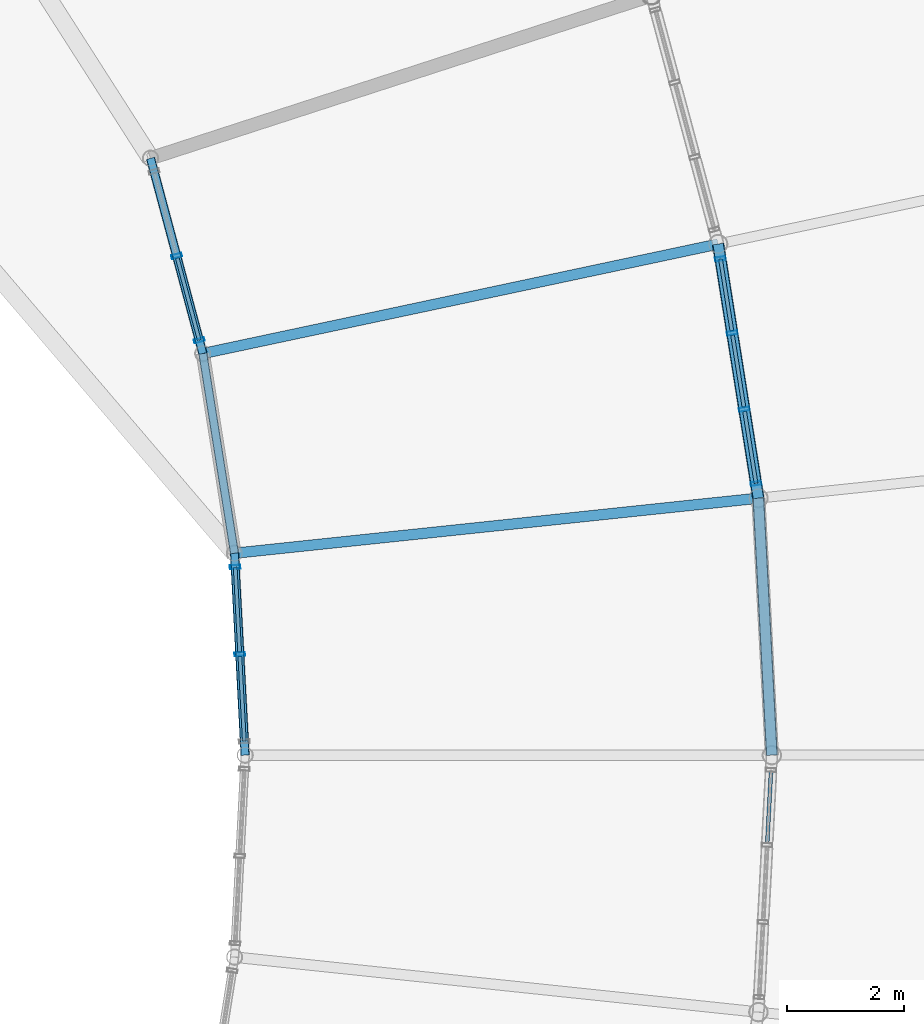
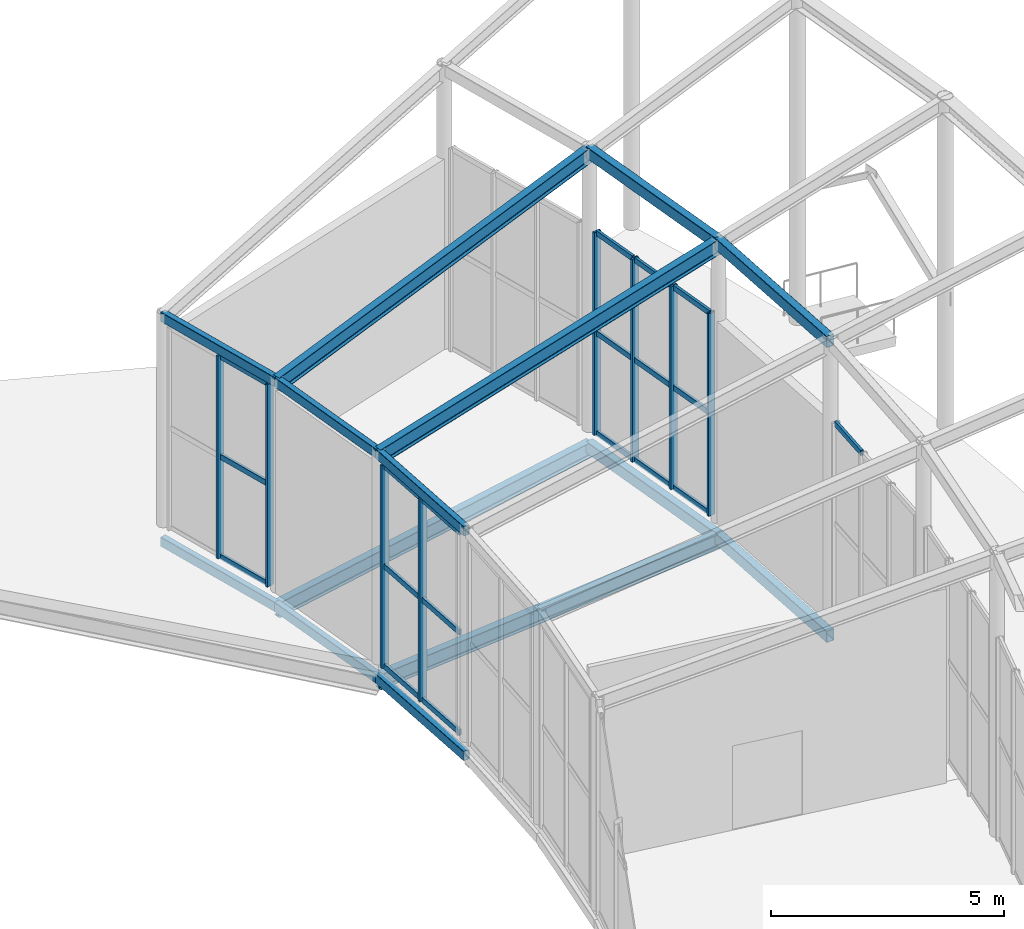
# One storey, part 93 of 158: 27 members, 14 beams, 4 elements without a shape of their own.
"""IFC4 building model written with IfcOpenShell, lengths in metres."""

from ifc_helpers import new_model, si_unit, derived_unit, direction, frame, origin, origin_2d, place, context, subcontext, project, spatial, hollow_rectangle, i_section, extrude, material, material_profile, profile_set, type_object, element, aggregate, save


model = new_model("IFC4")

# Units and contexts
model_context = context("Model", 3, precision=1e-05, world=origin(), true_north=direction((0.0, 1.0)))
body_context = subcontext(model_context, "Body", "Model", "MODEL_VIEW")
ifc_project = project(units=[si_unit("LENGTHUNIT", "METRE"), si_unit("AREAUNIT", "SQUARE_METRE"), si_unit("VOLUMEUNIT", "CUBIC_METRE"), si_unit("PLANEANGLEUNIT", "RADIAN"), si_unit("MASSUNIT", "GRAM", prefix="KILO"), si_unit("THERMODYNAMICTEMPERATUREUNIT", "KELVIN"), si_unit("TIMEUNIT", "SECOND"), derived_unit("THERMALTRANSMITTANCEUNIT", [(si_unit("MASSUNIT", "GRAM", prefix="KILO"), 1), (si_unit("THERMODYNAMICTEMPERATUREUNIT", "KELVIN"), -1), (si_unit("TIMEUNIT", "SECOND"), -3)])], contexts=[model_context])

# Site, building, storey
site_placement = place(None, origin())
site = spatial("IfcSite", under=ifc_project, at=site_placement, CompositionType="ELEMENT")
building_placement = place(site_placement, origin())
building = spatial("IfcBuilding", under=site, at=building_placement, Name="Cambertide Market Hall", CompositionType="ELEMENT")
storey_placement = place(building_placement, origin())
storey = spatial("IfcBuildingStorey", under=building, at=storey_placement, Name="L01", CompositionType="ELEMENT", Elevation=0.0)

# Curtain wall, members
ifc_material_1 = material(Name="Marine Anodized Aluminium 6063-T6 AA25", Category="aluminium")
curtain_wall_type_1 = type_object("IfcCurtainWallType", Name="Promenade Crescent Inner Glazed Wall", PredefinedType="USERDEFINED", material=ifc_material_1)
curtain_wall_1_placement = place(storey_placement, origin())
curtain_wall_1 = element("IfcCurtainWall", 1, at=curtain_wall_1_placement, inside=storey, type_object=curtain_wall_type_1, Name="Level 1 Curtain Wall CW-V5I-L01-7", ObjectType="UNITIZED CURTAIN WALL", PredefinedType="USERDEFINED")
ifc_material_2 = material(Name="Champagne Marine Anodized Aluminium 6063-T6 AA25", Category="aluminium")
ifc_material_profile_1 = material_profile(ifc_material_2, hollow_rectangle(XDim=0.06494140625, YDim=0.179931640625, WallThickness=0.00390625, at=origin_2d()), Name="ALU MULLION 65x180")
ifc_profile_set_1 = profile_set([ifc_material_profile_1], Name="Champagne Marine Anodized Aluminium 6063-T6 AA25")
member_type_1 = type_object("IfcMemberType", Name="Curtain Wall Mullion ALU MULLION 65x180", PredefinedType="MULLION", material=ifc_profile_set_1)
member_1_placement = place(storey_placement, frame((176.90966796875, 67.724609375, 0.0), z_axis=(0.0, 0.0, 1.0), x_axis=(-0.052335829863, 0.998629541378, 0.0)))
member_1 = element("IfcMember", 2, at=member_1_placement, type_object=member_type_1, Name="CW-V5I-L01-7 Mullion 2", PredefinedType="MULLION", context=body_context, shape_type="SweptSolid", body=[
    extrude(hollow_rectangle(XDim=0.06494140625, YDim=0.179931640625, WallThickness=0.00390625, at=origin_2d()), origin(), (0.0, 0.0, 1.0), 5.300048828125),
])
member_2_placement = place(storey_placement, frame((176.83154296875, 69.21484375, 0.0), z_axis=(0.0, 0.0, 1.0), x_axis=(-0.052335829863, 0.998629541378, 0.0)))
member_2 = element("IfcMember", 3, at=member_2_placement, type_object=member_type_1, Name="CW-V5I-L01-7 Mullion 3", PredefinedType="MULLION", context=body_context, shape_type="SweptSolid", body=[
    extrude(hollow_rectangle(XDim=0.06494140625, YDim=0.179931640625, WallThickness=0.00390625, at=origin_2d()), origin(), (0.0, 0.0, 1.0), 5.300048828125),
])

ifc_material_3 = material(Name="Marine Anodized Aluminium 6063-T6 AA25", Category="aluminium")
curtain_wall_type_2 = type_object("IfcCurtainWallType", Name="Promenade Crescent Outer Glazed Wall", PredefinedType="USERDEFINED", material=ifc_material_3)
curtain_wall_2_placement = place(storey_placement, origin())
curtain_wall_2 = element("IfcCurtainWall", 4, at=curtain_wall_2_placement, inside=storey, type_object=curtain_wall_type_2, Name="Level 1 Curtain Wall CW-V5M-L01-8", ObjectType="UNITIZED CURTAIN WALL", PredefinedType="USERDEFINED")
member_3_placement = place(storey_placement, frame((185.1220703125, 74.48046875, 0.0), z_axis=(0.0, 0.0, 1.0), x_axis=(0.156434588243, -0.987688321082, 0.0)))
member_3 = element("IfcMember", 5, at=member_3_placement, type_object=member_type_1, Name="CW-V5M-L01-8 Mullion 1", PredefinedType="MULLION", context=body_context, shape_type="SweptSolid", body=[
    extrude(hollow_rectangle(XDim=0.06494140625, YDim=0.179931640625, WallThickness=0.00390625, at=origin_2d()), origin(), (0.0, 0.0, 1.0), 5.300048828125),
])
member_4_placement = place(storey_placement, frame((185.322998046875, 73.21240234375, 0.0), z_axis=(0.0, 0.0, 1.0), x_axis=(0.156434588243, -0.987688321082, 0.0)))
member_4 = element("IfcMember", 6, at=member_4_placement, type_object=member_type_1, Name="CW-V5M-L01-8 Mullion 2", PredefinedType="MULLION", context=body_context, shape_type="SweptSolid", body=[
    extrude(hollow_rectangle(XDim=0.06494140625, YDim=0.179931640625, WallThickness=0.00390625, at=origin_2d()), origin(), (0.0, 0.0, 1.0), 5.300048828125),
])
member_5_placement = place(storey_placement, frame((185.529296875, 71.909912109375, 0.0), z_axis=(0.0, 0.0, 1.0), x_axis=(0.156434588243, -0.987688321082, 0.0)))
member_5 = element("IfcMember", 7, at=member_5_placement, type_object=member_type_1, Name="CW-V5M-L01-8 Mullion 3", PredefinedType="MULLION", context=body_context, shape_type="SweptSolid", body=[
    extrude(hollow_rectangle(XDim=0.06494140625, YDim=0.179931640625, WallThickness=0.00390625, at=origin_2d()), origin(), (0.0, 0.0, 1.0), 5.300048828125),
])
member_6_placement = place(storey_placement, frame((185.72998046875, 70.64208984375, 0.0), z_axis=(0.0, 0.0, 1.0), x_axis=(0.156434588243, -0.987688321082, 0.0)))
member_6 = element("IfcMember", 8, at=member_6_placement, type_object=member_type_1, Name="CW-V5M-L01-8 Mullion 4", PredefinedType="MULLION", context=body_context, shape_type="SweptSolid", body=[
    extrude(hollow_rectangle(XDim=0.06494140625, YDim=0.179931640625, WallThickness=0.00390625, at=origin_2d()), origin(), (0.0, 0.0, 1.0), 5.300048828125),
])

curtain_wall_3_placement = place(storey_placement, origin())
curtain_wall_3 = element("IfcCurtainWall", 9, at=curtain_wall_3_placement, inside=storey, type_object=curtain_wall_type_1, Name="Level 1 Curtain Wall CW-V5I-L01-9", ObjectType="UNITIZED CURTAIN WALL", PredefinedType="USERDEFINED")
member_7_placement = place(storey_placement, frame((176.218017578125, 73.088134765625, 0.0), z_axis=(0.0, 0.0, 1.0), x_axis=(-0.25881910404, 0.965925810497, 0.0)))
member_7 = element("IfcMember", 10, at=member_7_placement, type_object=member_type_1, Name="CW-V5I-L01-9 Mullion 1", PredefinedType="MULLION", context=body_context, shape_type="SweptSolid", body=[
    extrude(hollow_rectangle(XDim=0.06494140625, YDim=0.179931640625, WallThickness=0.00390625, at=origin_2d()), origin(), (0.0, 0.0, 1.0), 5.300048828125),
])
member_8_placement = place(storey_placement, frame((175.831787109375, 74.529296875, 0.0), z_axis=(0.0, 0.0, 1.0), x_axis=(-0.25881910404, 0.965925810497, 0.0)))
member_8 = element("IfcMember", 11, at=member_8_placement, type_object=member_type_1, Name="CW-V5I-L01-9 Mullion 2", PredefinedType="MULLION", context=body_context, shape_type="SweptSolid", body=[
    extrude(hollow_rectangle(XDim=0.06494140625, YDim=0.179931640625, WallThickness=0.00390625, at=origin_2d()), origin(), (0.0, 0.0, 1.0), 5.300048828125),
])

# Curtain wall, member
curtain_wall_4_placement = place(storey_placement, origin())
curtain_wall_4 = element("IfcCurtainWall", 12, at=curtain_wall_4_placement, inside=storey, type_object=curtain_wall_type_2, Name="Level 1 Curtain Wall CW-V5M-L01-6", ObjectType="UNITIZED CURTAIN WALL", PredefinedType="USERDEFINED")
ifc_material_4 = material(Name="Champagne Marine Anodized Aluminium 6063-T6 AA25", Category="aluminium")
ifc_material_profile_2 = material_profile(ifc_material_4, hollow_rectangle(XDim=0.06494140625, YDim=0.139892578125, WallThickness=0.00341796875, at=origin_2d()), Name="ALU TRANSOM 65x140")
ifc_profile_set_2 = profile_set([ifc_material_profile_2], Name="Champagne Marine Anodized Aluminium 6063-T6 AA25")
member_type_2 = type_object("IfcMemberType", Name="Curtain Wall Transom ALU TRANSOM 65x140", PredefinedType="USERDEFINED", material=ifc_profile_set_2)
member_9_placement = place(storey_placement, frame((185.986328125, 65.740234375, 5.264892578125), z_axis=(-0.052238094069, -0.998634658686, 0.0), x_axis=(0.998634658686, -0.052238094069, 0.0)))
member_9 = element("IfcMember", 13, at=member_9_placement, type_object=member_type_2, Name="CW-V5M-L01-6 Transom 3-1", ObjectType="TRANSOM", PredefinedType="USERDEFINED", context=body_context, shape_type="SweptSolid", body=[
    extrude(hollow_rectangle(XDim=0.06494140625, YDim=0.139892578125, WallThickness=0.00341796875, at=origin_2d()), origin(), (0.0, 0.0, 1.0), 1.238525390625),
])
aggregate(curtain_wall_4, [member_9])

# Member
member_10_placement = place(storey_placement, frame((176.987548828125, 66.23974609375, 0.034912109375), z_axis=(-0.052470280986, 0.998622486034, 0.0), x_axis=(-0.998622486034, -0.052470280986, 0.0)))
member_10 = element("IfcMember", 14, at=member_10_placement, type_object=member_type_2, Name="CW-V5I-L01-7 Transom 1-1", ObjectType="TRANSOM", PredefinedType="USERDEFINED", context=body_context, shape_type="SweptSolid", body=[
    extrude(hollow_rectangle(XDim=0.06494140625, YDim=0.139892578125, WallThickness=0.00341796875, at=origin_2d()), origin(), (0.0, 0.0, 1.0), 1.447021484375),
])

member_11_placement = place(storey_placement, frame((176.907470703125, 67.7646484375, 0.034912109375), z_axis=(-0.052302028518, 0.998631312253, 0.0), x_axis=(-0.998631312253, -0.052302028518, 0.0)))
member_11 = element("IfcMember", 15, at=member_11_placement, type_object=member_type_2, Name="CW-V5I-L01-7 Transom 1-2", ObjectType="TRANSOM", PredefinedType="USERDEFINED", context=body_context, shape_type="SweptSolid", body=[
    extrude(hollow_rectangle(XDim=0.06494140625, YDim=0.139892578125, WallThickness=0.00341796875, at=origin_2d()), origin(), (0.0, 0.0, 1.0), 1.447021484375),
])

member_12_placement = place(storey_placement, frame((176.987548828125, 66.23974609375, 2.64990234375), z_axis=(-0.052470280986, 0.998622486034, 0.0), x_axis=(-0.998622486034, -0.052470280986, 0.0)))
member_12 = element("IfcMember", 16, at=member_12_placement, type_object=member_type_2, Name="CW-V5I-L01-7 Transom 2-1", ObjectType="TRANSOM", PredefinedType="USERDEFINED", context=body_context, shape_type="SweptSolid", body=[
    extrude(hollow_rectangle(XDim=0.06494140625, YDim=0.139892578125, WallThickness=0.00341796875, at=origin_2d()), origin(), (0.0, 0.0, 1.0), 1.447021484375),
])

member_13_placement = place(storey_placement, frame((176.907470703125, 67.7646484375, 2.64990234375), z_axis=(-0.052302028518, 0.998631312253, 0.0), x_axis=(-0.998631312253, -0.052302028518, 0.0)))
member_13 = element("IfcMember", 17, at=member_13_placement, type_object=member_type_2, Name="CW-V5I-L01-7 Transom 2-2", ObjectType="TRANSOM", PredefinedType="USERDEFINED", context=body_context, shape_type="SweptSolid", body=[
    extrude(hollow_rectangle(XDim=0.06494140625, YDim=0.139892578125, WallThickness=0.00341796875, at=origin_2d()), origin(), (0.0, 0.0, 1.0), 1.447021484375),
])

member_14_placement = place(storey_placement, frame((176.987548828125, 66.23974609375, 5.264892578125), z_axis=(-0.052470280986, 0.998622486034, 0.0), x_axis=(-0.998622486034, -0.052470280986, 0.0)))
member_14 = element("IfcMember", 18, at=member_14_placement, type_object=member_type_2, Name="CW-V5I-L01-7 Transom 3-1", ObjectType="TRANSOM", PredefinedType="USERDEFINED", context=body_context, shape_type="SweptSolid", body=[
    extrude(hollow_rectangle(XDim=0.06494140625, YDim=0.139892578125, WallThickness=0.00341796875, at=origin_2d()), origin(), (0.0, 0.0, 1.0), 1.447021484375),
])

member_15_placement = place(storey_placement, frame((176.907470703125, 67.7646484375, 5.264892578125), z_axis=(-0.052302028518, 0.998631312253, 0.0), x_axis=(-0.998631312253, -0.052302028518, 0.0)))
member_15 = element("IfcMember", 19, at=member_15_placement, type_object=member_type_2, Name="CW-V5I-L01-7 Transom 3-2", ObjectType="TRANSOM", PredefinedType="USERDEFINED", context=body_context, shape_type="SweptSolid", body=[
    extrude(hollow_rectangle(XDim=0.06494140625, YDim=0.139892578125, WallThickness=0.00341796875, at=origin_2d()), origin(), (0.0, 0.0, 1.0), 1.447021484375),
])

aggregate(curtain_wall_1, [member_1, member_2, member_10, member_11, member_12, member_13, member_14, member_15])

member_16_placement = place(storey_placement, frame((185.122802734375, 74.4755859375, 0.034912109375), z_axis=(0.156468527213, -0.987682945075, 0.0), x_axis=(0.987682945075, 0.156468527213, 0.0)))
member_16 = element("IfcMember", 20, at=member_16_placement, type_object=member_type_2, Name="CW-V5M-L01-8 Transom 1-1", ObjectType="TRANSOM", PredefinedType="USERDEFINED", context=body_context, shape_type="SweptSolid", body=[
    extrude(hollow_rectangle(XDim=0.06494140625, YDim=0.139892578125, WallThickness=0.00341796875, at=origin_2d()), origin(), (0.0, 0.0, 1.0), 1.239013671875),
])

member_17_placement = place(storey_placement, frame((185.3291015625, 73.173095703125, 0.034912109375), z_axis=(0.156468527213, -0.987682945075, 0.0), x_axis=(0.987682945075, 0.156468527213, 0.0)))
member_17 = element("IfcMember", 21, at=member_17_placement, type_object=member_type_2, Name="CW-V5M-L01-8 Transom 1-2", ObjectType="TRANSOM", PredefinedType="USERDEFINED", context=body_context, shape_type="SweptSolid", body=[
    extrude(hollow_rectangle(XDim=0.06494140625, YDim=0.139892578125, WallThickness=0.00341796875, at=origin_2d()), origin(), (0.0, 0.0, 1.0), 1.239013671875),
])

member_18_placement = place(storey_placement, frame((185.535400390625, 71.870361328125, 0.034912109375), z_axis=(0.156498987537, -0.987678119075, 0.0), x_axis=(0.987678119075, 0.156498987537, 0.0)))
member_18 = element("IfcMember", 22, at=member_18_placement, type_object=member_type_2, Name="CW-V5M-L01-8 Transom 1-3", ObjectType="TRANSOM", PredefinedType="USERDEFINED", context=body_context, shape_type="SweptSolid", body=[
    extrude(hollow_rectangle(XDim=0.06494140625, YDim=0.139892578125, WallThickness=0.00341796875, at=origin_2d()), origin(), (0.0, 0.0, 1.0), 1.23876953125),
])

member_19_placement = place(storey_placement, frame((185.122802734375, 74.4755859375, 2.64990234375), z_axis=(0.156468527213, -0.987682945075, 0.0), x_axis=(0.987682945075, 0.156468527213, 0.0)))
member_19 = element("IfcMember", 23, at=member_19_placement, type_object=member_type_2, Name="CW-V5M-L01-8 Transom 2-1", ObjectType="TRANSOM", PredefinedType="USERDEFINED", context=body_context, shape_type="SweptSolid", body=[
    extrude(hollow_rectangle(XDim=0.06494140625, YDim=0.139892578125, WallThickness=0.00341796875, at=origin_2d()), origin(), (0.0, 0.0, 1.0), 1.239013671875),
])

member_20_placement = place(storey_placement, frame((185.3291015625, 73.173095703125, 2.64990234375), z_axis=(0.156468527213, -0.987682945075, 0.0), x_axis=(0.987682945075, 0.156468527213, 0.0)))
member_20 = element("IfcMember", 24, at=member_20_placement, type_object=member_type_2, Name="CW-V5M-L01-8 Transom 2-2", ObjectType="TRANSOM", PredefinedType="USERDEFINED", context=body_context, shape_type="SweptSolid", body=[
    extrude(hollow_rectangle(XDim=0.06494140625, YDim=0.139892578125, WallThickness=0.00341796875, at=origin_2d()), origin(), (0.0, 0.0, 1.0), 1.239013671875),
])

member_21_placement = place(storey_placement, frame((185.535400390625, 71.870361328125, 2.64990234375), z_axis=(0.156498987537, -0.987678119075, 0.0), x_axis=(0.987678119075, 0.156498987537, 0.0)))
member_21 = element("IfcMember", 25, at=member_21_placement, type_object=member_type_2, Name="CW-V5M-L01-8 Transom 2-3", ObjectType="TRANSOM", PredefinedType="USERDEFINED", context=body_context, shape_type="SweptSolid", body=[
    extrude(hollow_rectangle(XDim=0.06494140625, YDim=0.139892578125, WallThickness=0.00341796875, at=origin_2d()), origin(), (0.0, 0.0, 1.0), 1.23876953125),
])

member_22_placement = place(storey_placement, frame((185.122802734375, 74.4755859375, 5.264892578125), z_axis=(0.156468527213, -0.987682945075, 0.0), x_axis=(0.987682945075, 0.156468527213, 0.0)))
member_22 = element("IfcMember", 26, at=member_22_placement, type_object=member_type_2, Name="CW-V5M-L01-8 Transom 3-1", ObjectType="TRANSOM", PredefinedType="USERDEFINED", context=body_context, shape_type="SweptSolid", body=[
    extrude(hollow_rectangle(XDim=0.06494140625, YDim=0.139892578125, WallThickness=0.00341796875, at=origin_2d()), origin(), (0.0, 0.0, 1.0), 1.239013671875),
])

member_23_placement = place(storey_placement, frame((185.3291015625, 73.173095703125, 5.264892578125), z_axis=(0.156468527213, -0.987682945075, 0.0), x_axis=(0.987682945075, 0.156468527213, 0.0)))
member_23 = element("IfcMember", 27, at=member_23_placement, type_object=member_type_2, Name="CW-V5M-L01-8 Transom 3-2", ObjectType="TRANSOM", PredefinedType="USERDEFINED", context=body_context, shape_type="SweptSolid", body=[
    extrude(hollow_rectangle(XDim=0.06494140625, YDim=0.139892578125, WallThickness=0.00341796875, at=origin_2d()), origin(), (0.0, 0.0, 1.0), 1.239013671875),
])

member_24_placement = place(storey_placement, frame((185.535400390625, 71.870361328125, 5.264892578125), z_axis=(0.156498987537, -0.987678119075, 0.0), x_axis=(0.987678119075, 0.156498987537, 0.0)))
member_24 = element("IfcMember", 28, at=member_24_placement, type_object=member_type_2, Name="CW-V5M-L01-8 Transom 3-3", ObjectType="TRANSOM", PredefinedType="USERDEFINED", context=body_context, shape_type="SweptSolid", body=[
    extrude(hollow_rectangle(XDim=0.06494140625, YDim=0.139892578125, WallThickness=0.00341796875, at=origin_2d()), origin(), (0.0, 0.0, 1.0), 1.23876953125),
])

aggregate(curtain_wall_2, [member_3, member_4, member_5, member_6, member_16, member_17, member_18, member_19, member_20, member_21, member_22, member_23, member_24])

member_25_placement = place(storey_placement, frame((176.216796875, 73.093017578125, 0.034912109375), z_axis=(-0.258817608395, 0.965926211253, 0.0), x_axis=(-0.965926211253, -0.258817608395, 0.0)))
member_25 = element("IfcMember", 29, at=member_25_placement, type_object=member_type_2, Name="CW-V5I-L01-9 Transom 1-1", ObjectType="TRANSOM", PredefinedType="USERDEFINED", context=body_context, shape_type="SweptSolid", body=[
    extrude(hollow_rectangle(XDim=0.06494140625, YDim=0.139892578125, WallThickness=0.00341796875, at=origin_2d()), origin(), (0.0, 0.0, 1.0), 1.447021484375),
])

member_26_placement = place(storey_placement, frame((176.216796875, 73.093017578125, 2.64990234375), z_axis=(-0.258817608395, 0.965926211253, 0.0), x_axis=(-0.965926211253, -0.258817608395, 0.0)))
member_26 = element("IfcMember", 30, at=member_26_placement, type_object=member_type_2, Name="CW-V5I-L01-9 Transom 2-1", ObjectType="TRANSOM", PredefinedType="USERDEFINED", context=body_context, shape_type="SweptSolid", body=[
    extrude(hollow_rectangle(XDim=0.06494140625, YDim=0.139892578125, WallThickness=0.00341796875, at=origin_2d()), origin(), (0.0, 0.0, 1.0), 1.447021484375),
])

member_27_placement = place(storey_placement, frame((176.216796875, 73.093017578125, 5.264892578125), z_axis=(-0.258817608395, 0.965926211253, 0.0), x_axis=(-0.965926211253, -0.258817608395, 0.0)))
member_27 = element("IfcMember", 31, at=member_27_placement, type_object=member_type_2, Name="CW-V5I-L01-9 Transom 3-1", ObjectType="TRANSOM", PredefinedType="USERDEFINED", context=body_context, shape_type="SweptSolid", body=[
    extrude(hollow_rectangle(XDim=0.06494140625, YDim=0.139892578125, WallThickness=0.00341796875, at=origin_2d()), origin(), (0.0, 0.0, 1.0), 1.447021484375),
])

aggregate(curtain_wall_3, [member_7, member_8, member_25, member_26, member_27])

# Beams
ifc_material_5 = material(Name="Steel S355", Category="steel")
ifc_material_profile_3 = material_profile(ifc_material_5, i_section(OverallWidth=0.179931640625, OverallDepth=0.39990234375, WebThickness=0.008544921875, FlangeThickness=0.013427734375, FilletRadius=0.02099609375, at=origin_2d()), Name="IPE 400")
ifc_profile_set_3 = profile_set([ifc_material_profile_3], Name="Steel S355")
beam_type_1 = type_object("IfcBeamType", Name="Exterior Steel Girder IPE 400", PredefinedType="BEAM", material=ifc_profile_set_3)
beam_1_placement = place(storey_placement, frame((176.8193359375, 69.449462890625, 5.3798828125), z_axis=(0.974578388722, 0.102423504766, 0.199264622821), x_axis=(-0.104519569699, 0.99452283008, 0.0)))
element("IfcBeam", 32, at=beam_1_placement, inside=storey, type_object=beam_type_1, Name="BM-V5R1-CAN-8", PredefinedType="BEAM", context=body_context, shape_type="SweptSolid", body=[
    extrude(i_section(OverallWidth=0.179931640625, OverallDepth=0.39990234375, WebThickness=0.008544921875, FlangeThickness=0.013427734375, FilletRadius=0.02099609375, at=origin_2d()), origin(), (0.0, 0.0, 1.0), 9.18408203125),
])
beam_2_placement = place(storey_placement, frame((176.27880859375, 72.861083984375, 5.3798828125), z_axis=(0.958535239773, 0.203727615231, 0.199261769803), x_axis=(-0.207896713966, 0.978150784042, 0.0)))
element("IfcBeam", 33, at=beam_2_placement, inside=storey, type_object=beam_type_1, Name="BM-V5R1-CAN-9", PredefinedType="BEAM", context=body_context, shape_type="SweptSolid", body=[
    extrude(i_section(OverallWidth=0.179931640625, OverallDepth=0.39990234375, WebThickness=0.008544921875, FlangeThickness=0.013427734375, FilletRadius=0.02099609375, at=origin_2d()), origin(), (0.0, 0.0, 1.0), 9.184326171875),
])
ifc_material_6 = material(Name="Steel S355", Category="steel")
ifc_material_profile_4 = material_profile(ifc_material_6, hollow_rectangle(XDim=0.14990234375, YDim=0.25, WallThickness=0.008056640625, InnerFilletRadius=0.008056640625, OuterFilletRadius=0.01611328125, at=origin_2d()), Name="RHS 250x150x8")
ifc_profile_set_4 = profile_set([ifc_material_profile_4], Name="Steel S355")
beam_type_2 = type_object("IfcBeamType", Name="Exterior Steel Girder RHS 250x150x8", PredefinedType="BEAM", material=ifc_profile_set_4)
for number, where, z_axis, x_axis, name in (
    (34, (177.0, 66.0, 5.455078125), (-0.052302862111, 0.998631268595, 0.0), (-0.998631268595, -0.052302862111, 0.0), "Level 1 Beam BM-V5C-CAN-IN-7"),
    (35, (176.8193359375, 69.449462890625, 5.455078125), (-0.156485200519, 0.987680303549, 0.0), (-0.987680303549, -0.156485200519, 0.0), "Level 1 Beam BM-V5C-CAN-IN-8"),
    (36, (176.27880859375, 72.861083984375, 5.455078125), (-0.258832652121, 0.965922180197, 0.0), (-0.965922180197, -0.258832652121, 0.0), "Level 1 Beam BM-V5C-CAN-IN-9"),
):
    element("IfcBeam", number, at=place(storey_placement, frame(where, z_axis=z_axis, x_axis=x_axis)), inside=storey, type_object=beam_type_2, Name=name, PredefinedType="BEAM", context=body_context, shape_type="SweptSolid", body=[
        extrude(hollow_rectangle(XDim=0.14990234375, YDim=0.25, WallThickness=0.008056640625, InnerFilletRadius=0.008056640625, OuterFilletRadius=0.01611328125, at=origin_2d()), origin(), (0.0, 0.0, 1.0), 3.4541015625),
    ])
ifc_material_7 = material(Name="Steel S355", Category="steel")
ifc_material_profile_5 = material_profile(ifc_material_7, hollow_rectangle(XDim=0.199951171875, YDim=0.300048828125, WallThickness=0.010009765625, InnerFilletRadius=0.010009765625, OuterFilletRadius=0.02001953125, at=origin_2d()), Name="RHS 300x200x10")
ifc_profile_set_5 = profile_set([ifc_material_profile_5], Name="Steel S355")
beam_type_3 = type_object("IfcBeamType", Name="Exterior Steel Girder RHS 300x200x10", PredefinedType="BEAM", material=ifc_profile_set_5)
for number, where, z_axis, x_axis, name in (
    (37, (186.0, 66.0, 7.260009765625), (-0.052313986548, 0.998630685895, 0.0), (-0.998630685895, -0.052313986548, 0.0), "Level 1 Beam BM-V5C-CAN-MID-7"),
    (38, (185.77001953125, 70.39013671875, 7.260009765625), (-0.156441655728, 0.987687201675, 0.0), (-0.987687201675, -0.156441655728, 0.0), "Level 1 Beam BM-V5C-CAN-MID-8"),
):
    element("IfcBeam", number, at=place(storey_placement, frame(where, z_axis=z_axis, x_axis=x_axis)), inside=storey, type_object=beam_type_3, Name=name, PredefinedType="BEAM", context=body_context, shape_type="SweptSolid", body=[
        extrude(hollow_rectangle(XDim=0.199951171875, YDim=0.300048828125, WallThickness=0.010009765625, InnerFilletRadius=0.010009765625, OuterFilletRadius=0.02001953125, at=origin_2d()), origin(), (0.0, 0.0, 1.0), 4.396240234375),
    ])
ifc_material_8 = material(Name="Steel S355", Category="steel")
ifc_material_profile_6 = material_profile(ifc_material_8, i_section(OverallWidth=0.179931640625, OverallDepth=0.39990234375, WebThickness=0.008544921875, FlangeThickness=0.013427734375, FilletRadius=0.02099609375, at=origin_2d()), Name="IPE 400")
ifc_profile_set_6 = profile_set([ifc_material_profile_6], Name="Steel S355")
beam_type_4 = type_object("IfcBeamType", Name="Steel Girder IPE 400", PredefinedType="BEAM", material=ifc_profile_set_6)
for number, where, z_axis, x_axis, name in (
    (39, (176.8193359375, 69.449462890625, -0.5), (0.99452283008, 0.104519569699, 0.0), (-0.104519569699, 0.99452283008, 0.0), "Level 1 Beam BM-V5R1-FLR-8"),
    (40, (176.27880859375, 72.861083984375, -0.5), (0.978150784042, 0.207896713966, 0.0), (-0.207896713966, 0.978150784042, 0.0), "Level 1 Beam BM-V5R1-FLR-9"),
):
    element("IfcBeam", number, at=place(storey_placement, frame(where, z_axis=z_axis, x_axis=x_axis)), inside=storey, type_object=beam_type_4, Name=name, PredefinedType="BEAM", context=body_context, shape_type="SweptSolid", body=[
        extrude(i_section(OverallWidth=0.179931640625, OverallDepth=0.39990234375, WebThickness=0.008544921875, FlangeThickness=0.013427734375, FilletRadius=0.02099609375, at=origin_2d()), origin(), (0.0, 0.0, 1.0), 9.0),
    ])
ifc_material_9 = material(Name="Steel S355", Category="steel")
ifc_material_profile_7 = material_profile(ifc_material_9, hollow_rectangle(XDim=0.14990234375, YDim=0.25, WallThickness=0.008056640625, InnerFilletRadius=0.008056640625, OuterFilletRadius=0.01611328125, at=origin_2d()), Name="RHS 250x150x8")
ifc_profile_set_7 = profile_set([ifc_material_profile_7], Name="Steel S355")
beam_type_5 = type_object("IfcBeamType", Name="Steel Girder RHS 250x150x8", PredefinedType="BEAM", material=ifc_profile_set_7)
for number, where, z_axis, x_axis, name in (
    (41, (177.0, 66.0, -0.425048828125), (-0.052302862111, 0.998631268595, 0.0), (-0.998631268595, -0.052302862111, 0.0), "Level 1 Beam BM-V5C-FLR-IN-7"),
    (42, (176.8193359375, 69.449462890625, -0.425048828125), (-0.156485200519, 0.987680303549, 0.0), (-0.987680303549, -0.156485200519, 0.0), "Level 1 Beam BM-V5C-FLR-IN-8"),
    (43, (176.27880859375, 72.861083984375, -0.425048828125), (-0.258832652121, 0.965922180197, 0.0), (-0.965922180197, -0.258832652121, 0.0), "Level 1 Beam BM-V5C-FLR-IN-9"),
):
    element("IfcBeam", number, at=place(storey_placement, frame(where, z_axis=z_axis, x_axis=x_axis)), inside=storey, type_object=beam_type_5, Name=name, PredefinedType="BEAM", context=body_context, shape_type="SweptSolid", body=[
        extrude(hollow_rectangle(XDim=0.14990234375, YDim=0.25, WallThickness=0.008056640625, InnerFilletRadius=0.008056640625, OuterFilletRadius=0.01611328125, at=origin_2d()), origin(), (0.0, 0.0, 1.0), 3.4541015625),
    ])
ifc_material_10 = material(Name="Steel S355", Category="steel")
ifc_material_profile_8 = material_profile(ifc_material_10, hollow_rectangle(XDim=0.199951171875, YDim=0.300048828125, WallThickness=0.010009765625, InnerFilletRadius=0.010009765625, OuterFilletRadius=0.02001953125, at=origin_2d()), Name="RHS 300x200x10")
ifc_profile_set_8 = profile_set([ifc_material_profile_8], Name="Steel S355")
beam_type_6 = type_object("IfcBeamType", Name="Steel Girder RHS 300x200x10", PredefinedType="BEAM", material=ifc_profile_set_8)
for number, where, z_axis, x_axis, name in (
    (44, (186.0, 66.0, -0.449951171875), (-0.052313986548, 0.998630685895, 0.0), (-0.998630685895, -0.052313986548, 0.0), "Level 1 Beam BM-V5C-FLR-MID-7"),
    (45, (185.77001953125, 70.39013671875, -0.449951171875), (-0.156441655728, 0.987687201675, 0.0), (-0.987687201675, -0.156441655728, 0.0), "Level 1 Beam BM-V5C-FLR-MID-8"),
):
    element("IfcBeam", number, at=place(storey_placement, frame(where, z_axis=z_axis, x_axis=x_axis)), inside=storey, type_object=beam_type_6, Name=name, PredefinedType="BEAM", context=body_context, shape_type="SweptSolid", body=[
        extrude(hollow_rectangle(XDim=0.199951171875, YDim=0.300048828125, WallThickness=0.010009765625, InnerFilletRadius=0.010009765625, OuterFilletRadius=0.02001953125, at=origin_2d()), origin(), (0.0, 0.0, 1.0), 4.396240234375),
    ])

save(model, "model.ifc")
